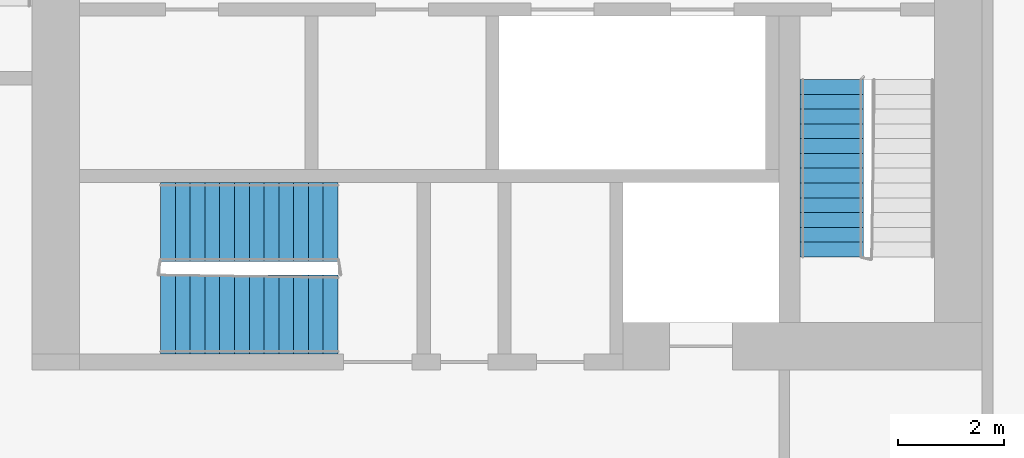
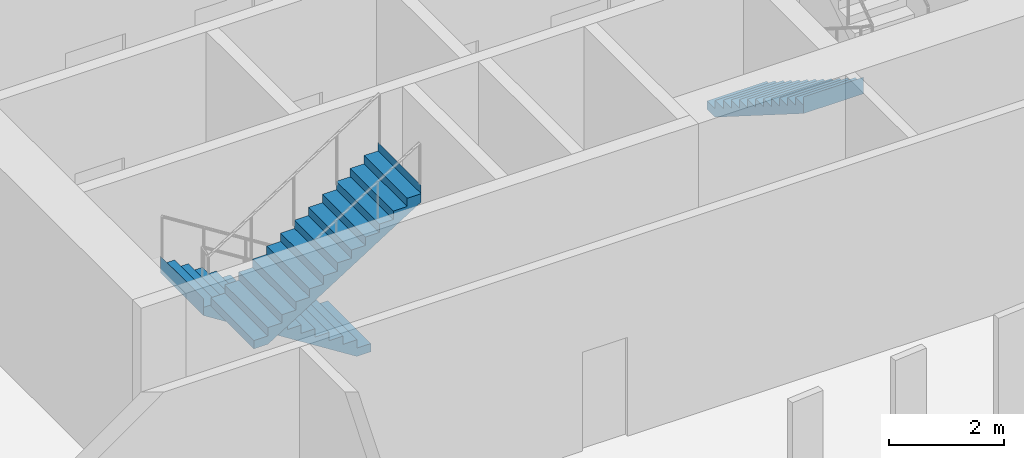
# One storey, part 21 of 26: 3 stair flights, 2 elements without a shape of their own.
"""IFC4 building model written with IfcOpenShell, lengths in metres."""

from ifc_helpers import new_model, si_unit, direction, frame, origin, place, context, subcontext, project, spatial, faceted_brep, material, type_object, element, aggregate, save


model = new_model("IFC4")

# Units and contexts
model_context = context("Model", 3, precision=1e-05, world=origin(), true_north=direction((0.0, 1.0)))
body_context = subcontext(model_context, "Body", "Model", "MODEL_VIEW")
ifc_project = project(units=[si_unit("LENGTHUNIT", "METRE"), si_unit("AREAUNIT", "SQUARE_METRE"), si_unit("VOLUMEUNIT", "CUBIC_METRE"), si_unit("PLANEANGLEUNIT", "RADIAN"), si_unit("MASSUNIT", "GRAM", prefix="KILO")], contexts=[model_context])

# Site, building, storey
site_placement = place(None, origin())
site = spatial("IfcSite", under=ifc_project, at=site_placement, CompositionType="ELEMENT")
building_placement = place(site_placement, origin())
building = spatial("IfcBuilding", under=site, at=building_placement, Name="Kajstack Hotel Tower", CompositionType="ELEMENT")
storey_placement = place(building_placement, frame((0.0, 0.0, 206.5)))
storey = spatial("IfcBuildingStorey", under=building, at=storey_placement, Name="L50", CompositionType="ELEMENT", Elevation=206.5)

# Stair, stair flight
ifc_material = material(Name="Concrete C40/50", Category="concrete")
stair_type_1 = type_object("IfcStairType", Name="Exit stair 1200", PredefinedType="HALF_TURN_STAIR", material=ifc_material)
stair_1_placement = place(storey_placement, origin())
stair_1 = element("IfcStair", 1, at=stair_1_placement, inside=storey, type_object=stair_type_1, Name="L50 stair W2", PredefinedType="HALF_TURN_STAIR")
stair_flight_type_1 = type_object("IfcStairFlightType", Name="Exit stair flight 1200", PredefinedType="STRAIGHT", material=ifc_material)
stair_flight_1_placement = place(storey_placement, frame((-16.35009765625, -10.0, 0.0), z_axis=(0.0, 0.0, 1.0), x_axis=(0.0, -1.0, 0.0)))
stair_flight_1 = element("IfcStairFlight", 2, at=stair_flight_1_placement, type_object=stair_flight_type_1, Name="W2 flight 1", NumberOfRisers=13, NumberOfTreads=12, PredefinedType="STRAIGHT", RiserHeight=0.176923077, TreadLength=0.28, context=body_context, shape_type="Brep", body=[
    faceted_brep([(0.281005859375, -0.60009765625, 0.0), (3.360595703125, -0.60009765625, 1.94580078125), (3.360595703125, -0.60009765625, 2.300048828125), (3.360107421875, -0.60009765625, 2.300048828125), (3.360107421875, -0.60009765625, 2.123046875), (3.080078125, -0.60009765625, 2.123046875), (3.080078125, -0.60009765625, 1.946044921875), (2.800048828125, -0.60009765625, 1.946044921875), (2.800048828125, -0.60009765625, 1.769287109375), (2.52001953125, -0.60009765625, 1.769287109375), (2.52001953125, -0.60009765625, 1.59228515625), (2.239990234375, -0.60009765625, 1.59228515625), (2.239990234375, -0.60009765625, 1.415283203125), (1.9599609375, -0.60009765625, 1.415283203125), (1.9599609375, -0.60009765625, 1.238525390625), (1.679931640625, -0.60009765625, 1.238525390625), (1.679931640625, -0.60009765625, 1.0615234375), (1.39990234375, -0.60009765625, 1.0615234375), (1.39990234375, -0.60009765625, 0.884521484375), (1.1201171875, -0.60009765625, 0.884521484375), (1.1201171875, -0.60009765625, 0.707763671875), (0.840087890625, -0.60009765625, 0.707763671875), (0.840087890625, -0.60009765625, 0.53076171875), (0.56005859375, -0.60009765625, 0.53076171875), (0.56005859375, -0.60009765625, 0.353759765625), (0.280029296875, -0.60009765625, 0.353759765625), (0.280029296875, -0.60009765625, 0.177001953125), (-0.00048828125, -0.60009765625, 0.177001953125), (-0.00048828125, -0.60009765625, 0.0), (-0.00048828125, 0.60009765625, 0.0), (-0.00048828125, 0.60009765625, 0.177001953125), (0.280029296875, 0.60009765625, 0.177001953125), (0.280029296875, 0.60009765625, 0.353759765625), (0.56005859375, 0.60009765625, 0.353759765625), (0.56005859375, 0.60009765625, 0.53076171875), (0.840087890625, 0.60009765625, 0.53076171875), (0.840087890625, 0.60009765625, 0.707763671875), (1.1201171875, 0.60009765625, 0.707763671875), (1.1201171875, 0.60009765625, 0.884521484375), (1.39990234375, 0.60009765625, 0.884521484375), (1.39990234375, 0.60009765625, 1.0615234375), (1.679931640625, 0.60009765625, 1.0615234375), (1.679931640625, 0.60009765625, 1.238525390625), (1.9599609375, 0.60009765625, 1.238525390625), (1.9599609375, 0.60009765625, 1.415283203125), (2.239990234375, 0.60009765625, 1.415283203125), (2.239990234375, 0.60009765625, 1.59228515625), (2.52001953125, 0.60009765625, 1.59228515625), (2.52001953125, 0.60009765625, 1.769287109375), (2.800048828125, 0.60009765625, 1.769287109375), (2.800048828125, 0.60009765625, 1.946044921875), (3.080078125, 0.60009765625, 1.946044921875), (3.080078125, 0.60009765625, 2.123046875), (3.360107421875, 0.60009765625, 2.123046875), (3.360107421875, 0.60009765625, 2.300048828125), (3.360595703125, 0.60009765625, 2.300048828125), (3.360595703125, 0.60009765625, 1.94580078125), (0.281005859375, 0.60009765625, 0.0), (-0.00048828125, -0.300048828125, 0.177001953125), (-0.00048828125, 0.0, 0.177001953125), (-0.00048828125, 0.300048828125, 0.177001953125), (-0.00048828125, 0.300048828125, 0.0), (-0.00048828125, 0.0, 0.0), (-0.00048828125, -0.300048828125, 0.0), (0.280029296875, -0.300048828125, 0.177001953125), (0.280029296875, 0.0, 0.177001953125), (0.280029296875, 0.300048828125, 0.177001953125), (0.280029296875, -0.300048828125, 0.353759765625), (0.280029296875, 0.0, 0.353759765625), (0.280029296875, 0.300048828125, 0.353759765625), (0.56005859375, -0.300048828125, 0.353759765625), (0.56005859375, 0.0, 0.353759765625), (0.56005859375, 0.300048828125, 0.353759765625), (0.56005859375, -0.300048828125, 0.53076171875), (0.56005859375, 0.0, 0.53076171875), (0.56005859375, 0.300048828125, 0.53076171875), (0.840087890625, -0.300048828125, 0.53076171875), (0.840087890625, 0.0, 0.53076171875), (0.840087890625, 0.300048828125, 0.53076171875), (0.840087890625, -0.300048828125, 0.707763671875), (0.840087890625, 0.0, 0.707763671875), (0.840087890625, 0.300048828125, 0.707763671875), (1.1201171875, -0.300048828125, 0.707763671875), (1.1201171875, 0.0, 0.707763671875), (1.1201171875, 0.300048828125, 0.707763671875), (1.1201171875, -0.300048828125, 0.884521484375), (1.1201171875, 0.0, 0.884521484375), (1.1201171875, 0.300048828125, 0.884521484375), (1.39990234375, -0.300048828125, 0.884521484375), (1.39990234375, 0.0, 0.884521484375), (1.39990234375, 0.300048828125, 0.884521484375), (1.39990234375, -0.300048828125, 1.0615234375), (1.39990234375, 0.0, 1.0615234375), (1.39990234375, 0.300048828125, 1.0615234375), (1.679931640625, -0.300048828125, 1.0615234375), (1.679931640625, 0.0, 1.0615234375), (1.679931640625, 0.300048828125, 1.0615234375), (1.679931640625, -0.300048828125, 1.238525390625), (1.679931640625, 0.0, 1.238525390625), (1.679931640625, 0.300048828125, 1.238525390625), (1.9599609375, -0.300048828125, 1.238525390625), (1.9599609375, 0.0, 1.238525390625), (1.9599609375, 0.300048828125, 1.238525390625), (1.9599609375, -0.300048828125, 1.415283203125), (1.9599609375, 0.0, 1.415283203125), (1.9599609375, 0.300048828125, 1.415283203125), (2.239990234375, -0.300048828125, 1.415283203125), (2.239990234375, 0.0, 1.415283203125), (2.239990234375, 0.300048828125, 1.415283203125), (2.239990234375, -0.300048828125, 1.59228515625), (2.239990234375, 0.0, 1.59228515625), (2.239990234375, 0.300048828125, 1.59228515625), (2.52001953125, -0.300048828125, 1.59228515625), (2.52001953125, 0.0, 1.59228515625), (2.52001953125, 0.300048828125, 1.59228515625), (2.52001953125, -0.300048828125, 1.769287109375), (2.52001953125, 0.0, 1.769287109375), (2.52001953125, 0.300048828125, 1.769287109375), (2.800048828125, -0.300048828125, 1.769287109375), (2.800048828125, 0.0, 1.769287109375), (2.800048828125, 0.300048828125, 1.769287109375), (2.800048828125, -0.300048828125, 1.946044921875), (2.800048828125, 0.0, 1.946044921875), (2.800048828125, 0.300048828125, 1.946044921875), (3.080078125, -0.300048828125, 1.946044921875), (3.080078125, 0.0, 1.946044921875), (3.080078125, 0.300048828125, 1.946044921875), (3.080078125, -0.300048828125, 2.123046875), (3.080078125, 0.0, 2.123046875), (3.080078125, 0.300048828125, 2.123046875), (3.360107421875, -0.300048828125, 2.123046875), (3.360107421875, 0.0, 2.123046875), (3.360107421875, 0.300048828125, 2.123046875), (3.360107421875, -0.300048828125, 2.300048828125), (3.360107421875, 0.0, 2.300048828125), (3.360107421875, 0.300048828125, 2.300048828125), (3.360595703125, -0.300048828125, 2.300048828125), (3.360595703125, 0.0, 2.300048828125), (3.360595703125, 0.300048828125, 2.300048828125), (3.360595703125, -0.300048828125, 1.94580078125), (3.360595703125, 0.0, 1.94580078125), (3.360595703125, 0.300048828125, 1.94580078125), (0.281005859375, -0.300048828125, 0.0), (0.281005859375, 0.0, 0.0), (0.281005859375, 0.300048828125, 0.0)], [[[0, 1, 2, 3, 4, 5, 6, 7, 8, 9, 10, 11, 12, 13, 14, 15, 16, 17, 18, 19, 20, 21, 22, 23, 24, 25, 26, 27, 28]], [[29, 30, 31, 32, 33, 34, 35, 36, 37, 38, 39, 40, 41, 42, 43, 44, 45, 46, 47, 48, 49, 50, 51, 52, 53, 54, 55, 56, 57]], [[27, 58, 59, 60, 30, 29, 61, 62, 63, 28]], [[26, 64, 65, 66, 31, 30, 60, 59, 58, 27]], [[25, 67, 68, 69, 32, 31, 66, 65, 64, 26]], [[24, 70, 71, 72, 33, 32, 69, 68, 67, 25]], [[23, 73, 74, 75, 34, 33, 72, 71, 70, 24]], [[22, 76, 77, 78, 35, 34, 75, 74, 73, 23]], [[21, 79, 80, 81, 36, 35, 78, 77, 76, 22]], [[20, 82, 83, 84, 37, 36, 81, 80, 79, 21]], [[19, 85, 86, 87, 38, 37, 84, 83, 82, 20]], [[18, 88, 89, 90, 39, 38, 87, 86, 85, 19]], [[17, 91, 92, 93, 40, 39, 90, 89, 88, 18]], [[16, 94, 95, 96, 41, 40, 93, 92, 91, 17]], [[15, 97, 98, 99, 42, 41, 96, 95, 94, 16]], [[14, 100, 101, 102, 43, 42, 99, 98, 97, 15]], [[13, 103, 104, 105, 44, 43, 102, 101, 100, 14]], [[12, 106, 107, 108, 45, 44, 105, 104, 103, 13]], [[11, 109, 110, 111, 46, 45, 108, 107, 106, 12]], [[10, 112, 113, 114, 47, 46, 111, 110, 109, 11]], [[9, 115, 116, 117, 48, 47, 114, 113, 112, 10]], [[8, 118, 119, 120, 49, 48, 117, 116, 115, 9]], [[7, 121, 122, 123, 50, 49, 120, 119, 118, 8]], [[6, 124, 125, 126, 51, 50, 123, 122, 121, 7]], [[5, 127, 128, 129, 52, 51, 126, 125, 124, 6]], [[4, 130, 131, 132, 53, 52, 129, 128, 127, 5]], [[3, 133, 134, 135, 54, 53, 132, 131, 130, 4]], [[2, 136, 137, 138, 55, 54, 135, 134, 133, 3]], [[1, 139, 140, 141, 56, 55, 138, 137, 136, 2]], [[0, 142, 143, 144, 57, 56, 141, 140, 139, 1]], [[28, 63, 62, 61, 29, 57, 144, 143, 142, 0]]]),
])
aggregate(stair_1, [stair_flight_1])

# Stair, stair flights
stair_type_2 = type_object("IfcStairType", Name="Exit stair 1500", PredefinedType="HALF_TURN_STAIR", material=ifc_material)
stair_2_placement = place(storey_placement, origin())
stair_2 = element("IfcStair", 3, at=stair_2_placement, inside=storey, type_object=stair_type_2, Name="L50 stair W3", PredefinedType="HALF_TURN_STAIR")
stair_flight_type_2 = type_object("IfcStairFlightType", Name="Exit stair flight 1500", PredefinedType="STRAIGHT", material=ifc_material)
stair_flight_2_placement = place(storey_placement, frame((-25.699951171875, -12.699951171875, 0.0), z_axis=(0.0, 0.0, 1.0), x_axis=(-1.0, 0.0, 0.0)))
stair_flight_2 = element("IfcStairFlight", 4, at=stair_flight_2_placement, type_object=stair_flight_type_2, Name="W3 flight 1", NumberOfRisers=13, NumberOfTreads=12, PredefinedType="STRAIGHT", RiserHeight=0.176923077, TreadLength=0.28, context=body_context, shape_type="Brep", body=[
    faceted_brep([(0.281005859375, -0.75, 0.0), (3.360595703125, -0.75, 1.94580078125), (3.360595703125, -0.75, 2.300048828125), (3.360107421875, -0.75, 2.300048828125), (3.360107421875, -0.75, 2.123046875), (3.080078125, -0.75, 2.123046875), (3.080078125, -0.75, 1.946044921875), (2.800048828125, -0.75, 1.946044921875), (2.800048828125, -0.75, 1.769287109375), (2.52001953125, -0.75, 1.769287109375), (2.52001953125, -0.75, 1.59228515625), (2.239990234375, -0.75, 1.59228515625), (2.239990234375, -0.75, 1.415283203125), (1.9599609375, -0.75, 1.415283203125), (1.9599609375, -0.75, 1.238525390625), (1.679931640625, -0.75, 1.238525390625), (1.679931640625, -0.75, 1.0615234375), (1.39990234375, -0.75, 1.0615234375), (1.39990234375, -0.75, 0.884521484375), (1.1201171875, -0.75, 0.884521484375), (1.1201171875, -0.75, 0.707763671875), (0.840087890625, -0.75, 0.707763671875), (0.840087890625, -0.75, 0.53076171875), (0.56005859375, -0.75, 0.53076171875), (0.56005859375, -0.75, 0.353759765625), (0.280029296875, -0.75, 0.353759765625), (0.280029296875, -0.75, 0.177001953125), (-0.00048828125, -0.75, 0.177001953125), (-0.00048828125, -0.75, 0.0), (-0.00048828125, 0.75, 0.0), (-0.00048828125, 0.75, 0.177001953125), (0.280029296875, 0.75, 0.177001953125), (0.280029296875, 0.75, 0.353759765625), (0.56005859375, 0.75, 0.353759765625), (0.56005859375, 0.75, 0.53076171875), (0.840087890625, 0.75, 0.53076171875), (0.840087890625, 0.75, 0.707763671875), (1.1201171875, 0.75, 0.707763671875), (1.1201171875, 0.75, 0.884521484375), (1.39990234375, 0.75, 0.884521484375), (1.39990234375, 0.75, 1.0615234375), (1.679931640625, 0.75, 1.0615234375), (1.679931640625, 0.75, 1.238525390625), (1.9599609375, 0.75, 1.238525390625), (1.9599609375, 0.75, 1.415283203125), (2.239990234375, 0.75, 1.415283203125), (2.239990234375, 0.75, 1.59228515625), (2.52001953125, 0.75, 1.59228515625), (2.52001953125, 0.75, 1.769287109375), (2.800048828125, 0.75, 1.769287109375), (2.800048828125, 0.75, 1.946044921875), (3.080078125, 0.75, 1.946044921875), (3.080078125, 0.75, 2.123046875), (3.360107421875, 0.75, 2.123046875), (3.360107421875, 0.75, 2.300048828125), (3.360595703125, 0.75, 2.300048828125), (3.360595703125, 0.75, 1.94580078125), (0.281005859375, 0.75, 0.0), (-0.00048828125, -0.375, 0.177001953125), (-0.00048828125, 0.0, 0.177001953125), (-0.00048828125, 0.375, 0.177001953125), (-0.00048828125, 0.375, 0.0), (-0.00048828125, 0.0, 0.0), (-0.00048828125, -0.375, 0.0), (0.280029296875, -0.375, 0.177001953125), (0.280029296875, 0.0, 0.177001953125), (0.280029296875, 0.375, 0.177001953125), (0.280029296875, -0.375, 0.353759765625), (0.280029296875, 0.0, 0.353759765625), (0.280029296875, 0.375, 0.353759765625), (0.56005859375, -0.375, 0.353759765625), (0.56005859375, 0.0, 0.353759765625), (0.56005859375, 0.375, 0.353759765625), (0.56005859375, -0.375, 0.53076171875), (0.56005859375, 0.0, 0.53076171875), (0.56005859375, 0.375, 0.53076171875), (0.840087890625, -0.375, 0.53076171875), (0.840087890625, 0.0, 0.53076171875), (0.840087890625, 0.375, 0.53076171875), (0.840087890625, -0.375, 0.707763671875), (0.840087890625, 0.0, 0.707763671875), (0.840087890625, 0.375, 0.707763671875), (1.1201171875, -0.375, 0.707763671875), (1.1201171875, 0.0, 0.707763671875), (1.1201171875, 0.375, 0.707763671875), (1.1201171875, -0.375, 0.884521484375), (1.1201171875, 0.0, 0.884521484375), (1.1201171875, 0.375, 0.884521484375), (1.39990234375, -0.375, 0.884521484375), (1.39990234375, 0.0, 0.884521484375), (1.39990234375, 0.375, 0.884521484375), (1.39990234375, -0.375, 1.0615234375), (1.39990234375, 0.0, 1.0615234375), (1.39990234375, 0.375, 1.0615234375), (1.679931640625, -0.375, 1.0615234375), (1.679931640625, 0.0, 1.0615234375), (1.679931640625, 0.375, 1.0615234375), (1.679931640625, -0.375, 1.238525390625), (1.679931640625, 0.0, 1.238525390625), (1.679931640625, 0.375, 1.238525390625), (1.9599609375, -0.375, 1.238525390625), (1.9599609375, 0.0, 1.238525390625), (1.9599609375, 0.375, 1.238525390625), (1.9599609375, -0.375, 1.415283203125), (1.9599609375, 0.0, 1.415283203125), (1.9599609375, 0.375, 1.415283203125), (2.239990234375, -0.375, 1.415283203125), (2.239990234375, 0.0, 1.415283203125), (2.239990234375, 0.375, 1.415283203125), (2.239990234375, -0.375, 1.59228515625), (2.239990234375, 0.0, 1.59228515625), (2.239990234375, 0.375, 1.59228515625), (2.52001953125, -0.375, 1.59228515625), (2.52001953125, 0.0, 1.59228515625), (2.52001953125, 0.375, 1.59228515625), (2.52001953125, -0.375, 1.769287109375), (2.52001953125, 0.0, 1.769287109375), (2.52001953125, 0.375, 1.769287109375), (2.800048828125, -0.375, 1.769287109375), (2.800048828125, 0.0, 1.769287109375), (2.800048828125, 0.375, 1.769287109375), (2.800048828125, -0.375, 1.946044921875), (2.800048828125, 0.0, 1.946044921875), (2.800048828125, 0.375, 1.946044921875), (3.080078125, -0.375, 1.946044921875), (3.080078125, 0.0, 1.946044921875), (3.080078125, 0.375, 1.946044921875), (3.080078125, -0.375, 2.123046875), (3.080078125, 0.0, 2.123046875), (3.080078125, 0.375, 2.123046875), (3.360107421875, -0.375, 2.123046875), (3.360107421875, 0.0, 2.123046875), (3.360107421875, 0.375, 2.123046875), (3.360107421875, -0.375, 2.300048828125), (3.360107421875, 0.0, 2.300048828125), (3.360107421875, 0.375, 2.300048828125), (3.360595703125, -0.375, 2.300048828125), (3.360595703125, 0.0, 2.300048828125), (3.360595703125, 0.375, 2.300048828125), (3.360595703125, -0.375, 1.94580078125), (3.360595703125, 0.0, 1.94580078125), (3.360595703125, 0.375, 1.94580078125), (0.281005859375, -0.375, 0.0), (0.281005859375, 0.0, 0.0), (0.281005859375, 0.375, 0.0)], [[[0, 1, 2, 3, 4, 5, 6, 7, 8, 9, 10, 11, 12, 13, 14, 15, 16, 17, 18, 19, 20, 21, 22, 23, 24, 25, 26, 27, 28]], [[29, 30, 31, 32, 33, 34, 35, 36, 37, 38, 39, 40, 41, 42, 43, 44, 45, 46, 47, 48, 49, 50, 51, 52, 53, 54, 55, 56, 57]], [[27, 58, 59, 60, 30, 29, 61, 62, 63, 28]], [[26, 64, 65, 66, 31, 30, 60, 59, 58, 27]], [[25, 67, 68, 69, 32, 31, 66, 65, 64, 26]], [[24, 70, 71, 72, 33, 32, 69, 68, 67, 25]], [[23, 73, 74, 75, 34, 33, 72, 71, 70, 24]], [[22, 76, 77, 78, 35, 34, 75, 74, 73, 23]], [[21, 79, 80, 81, 36, 35, 78, 77, 76, 22]], [[20, 82, 83, 84, 37, 36, 81, 80, 79, 21]], [[19, 85, 86, 87, 38, 37, 84, 83, 82, 20]], [[18, 88, 89, 90, 39, 38, 87, 86, 85, 19]], [[17, 91, 92, 93, 40, 39, 90, 89, 88, 18]], [[16, 94, 95, 96, 41, 40, 93, 92, 91, 17]], [[15, 97, 98, 99, 42, 41, 96, 95, 94, 16]], [[14, 100, 101, 102, 43, 42, 99, 98, 97, 15]], [[13, 103, 104, 105, 44, 43, 102, 101, 100, 14]], [[12, 106, 107, 108, 45, 44, 105, 104, 103, 13]], [[11, 109, 110, 111, 46, 45, 108, 107, 106, 12]], [[10, 112, 113, 114, 47, 46, 111, 110, 109, 11]], [[9, 115, 116, 117, 48, 47, 114, 113, 112, 10]], [[8, 118, 119, 120, 49, 48, 117, 116, 115, 9]], [[7, 121, 122, 123, 50, 49, 120, 119, 118, 8]], [[6, 124, 125, 126, 51, 50, 123, 122, 121, 7]], [[5, 127, 128, 129, 52, 51, 126, 125, 124, 6]], [[4, 130, 131, 132, 53, 52, 129, 128, 127, 5]], [[3, 133, 134, 135, 54, 53, 132, 131, 130, 4]], [[2, 136, 137, 138, 55, 54, 135, 134, 133, 3]], [[1, 139, 140, 141, 56, 55, 138, 137, 136, 2]], [[0, 142, 143, 144, 57, 56, 141, 140, 139, 1]], [[28, 63, 62, 61, 29, 57, 144, 143, 142, 0]]]),
])
stair_flight_3_placement = place(storey_placement, frame((-29.06005859375, -14.449951171875, 2.300048828125), z_axis=(0.0, 0.0, 1.0), x_axis=(1.0, 0.0, 0.0)))
stair_flight_3 = element("IfcStairFlight", 5, at=stair_flight_3_placement, type_object=stair_flight_type_2, Name="W3 flight 2", NumberOfRisers=13, NumberOfTreads=12, PredefinedType="STRAIGHT", RiserHeight=0.176923077, TreadLength=0.28, context=body_context, shape_type="Brep", body=[
    faceted_brep([(0.281005859375, -0.75, 0.0), (3.360595703125, -0.75, 1.94580078125), (3.360595703125, -0.75, 2.300048828125), (3.360107421875, -0.75, 2.300048828125), (3.360107421875, -0.75, 2.123046875), (3.080078125, -0.75, 2.123046875), (3.080078125, -0.75, 1.946044921875), (2.800048828125, -0.75, 1.946044921875), (2.800048828125, -0.75, 1.769287109375), (2.52001953125, -0.75, 1.769287109375), (2.52001953125, -0.75, 1.59228515625), (2.239990234375, -0.75, 1.59228515625), (2.239990234375, -0.75, 1.415283203125), (1.9599609375, -0.75, 1.415283203125), (1.9599609375, -0.75, 1.238525390625), (1.679931640625, -0.75, 1.238525390625), (1.679931640625, -0.75, 1.0615234375), (1.39990234375, -0.75, 1.0615234375), (1.39990234375, -0.75, 0.884521484375), (1.1201171875, -0.75, 0.884521484375), (1.1201171875, -0.75, 0.707763671875), (0.840087890625, -0.75, 0.707763671875), (0.840087890625, -0.75, 0.53076171875), (0.56005859375, -0.75, 0.53076171875), (0.56005859375, -0.75, 0.353759765625), (0.280029296875, -0.75, 0.353759765625), (0.280029296875, -0.75, 0.177001953125), (-0.00048828125, -0.75, 0.177001953125), (-0.00048828125, -0.75, 0.0), (-0.00048828125, 0.75, 0.0), (-0.00048828125, 0.75, 0.177001953125), (0.280029296875, 0.75, 0.177001953125), (0.280029296875, 0.75, 0.353759765625), (0.56005859375, 0.75, 0.353759765625), (0.56005859375, 0.75, 0.53076171875), (0.840087890625, 0.75, 0.53076171875), (0.840087890625, 0.75, 0.707763671875), (1.1201171875, 0.75, 0.707763671875), (1.1201171875, 0.75, 0.884521484375), (1.39990234375, 0.75, 0.884521484375), (1.39990234375, 0.75, 1.0615234375), (1.679931640625, 0.75, 1.0615234375), (1.679931640625, 0.75, 1.238525390625), (1.9599609375, 0.75, 1.238525390625), (1.9599609375, 0.75, 1.415283203125), (2.239990234375, 0.75, 1.415283203125), (2.239990234375, 0.75, 1.59228515625), (2.52001953125, 0.75, 1.59228515625), (2.52001953125, 0.75, 1.769287109375), (2.800048828125, 0.75, 1.769287109375), (2.800048828125, 0.75, 1.946044921875), (3.080078125, 0.75, 1.946044921875), (3.080078125, 0.75, 2.123046875), (3.360107421875, 0.75, 2.123046875), (3.360107421875, 0.75, 2.300048828125), (3.360595703125, 0.75, 2.300048828125), (3.360595703125, 0.75, 1.94580078125), (0.281005859375, 0.75, 0.0), (-0.00048828125, -0.375, 0.177001953125), (-0.00048828125, 0.0, 0.177001953125), (-0.00048828125, 0.375, 0.177001953125), (-0.00048828125, 0.375, 0.0), (-0.00048828125, 0.0, 0.0), (-0.00048828125, -0.375, 0.0), (0.280029296875, -0.375, 0.177001953125), (0.280029296875, 0.0, 0.177001953125), (0.280029296875, 0.375, 0.177001953125), (0.280029296875, -0.375, 0.353759765625), (0.280029296875, 0.0, 0.353759765625), (0.280029296875, 0.375, 0.353759765625), (0.56005859375, -0.375, 0.353759765625), (0.56005859375, 0.0, 0.353759765625), (0.56005859375, 0.375, 0.353759765625), (0.56005859375, -0.375, 0.53076171875), (0.56005859375, 0.0, 0.53076171875), (0.56005859375, 0.375, 0.53076171875), (0.840087890625, -0.375, 0.53076171875), (0.840087890625, 0.0, 0.53076171875), (0.840087890625, 0.375, 0.53076171875), (0.840087890625, -0.375, 0.707763671875), (0.840087890625, 0.0, 0.707763671875), (0.840087890625, 0.375, 0.707763671875), (1.1201171875, -0.375, 0.707763671875), (1.1201171875, 0.0, 0.707763671875), (1.1201171875, 0.375, 0.707763671875), (1.1201171875, -0.375, 0.884521484375), (1.1201171875, 0.0, 0.884521484375), (1.1201171875, 0.375, 0.884521484375), (1.39990234375, -0.375, 0.884521484375), (1.39990234375, 0.0, 0.884521484375), (1.39990234375, 0.375, 0.884521484375), (1.39990234375, -0.375, 1.0615234375), (1.39990234375, 0.0, 1.0615234375), (1.39990234375, 0.375, 1.0615234375), (1.679931640625, -0.375, 1.0615234375), (1.679931640625, 0.0, 1.0615234375), (1.679931640625, 0.375, 1.0615234375), (1.679931640625, -0.375, 1.238525390625), (1.679931640625, 0.0, 1.238525390625), (1.679931640625, 0.375, 1.238525390625), (1.9599609375, -0.375, 1.238525390625), (1.9599609375, 0.0, 1.238525390625), (1.9599609375, 0.375, 1.238525390625), (1.9599609375, -0.375, 1.415283203125), (1.9599609375, 0.0, 1.415283203125), (1.9599609375, 0.375, 1.415283203125), (2.239990234375, -0.375, 1.415283203125), (2.239990234375, 0.0, 1.415283203125), (2.239990234375, 0.375, 1.415283203125), (2.239990234375, -0.375, 1.59228515625), (2.239990234375, 0.0, 1.59228515625), (2.239990234375, 0.375, 1.59228515625), (2.52001953125, -0.375, 1.59228515625), (2.52001953125, 0.0, 1.59228515625), (2.52001953125, 0.375, 1.59228515625), (2.52001953125, -0.375, 1.769287109375), (2.52001953125, 0.0, 1.769287109375), (2.52001953125, 0.375, 1.769287109375), (2.800048828125, -0.375, 1.769287109375), (2.800048828125, 0.0, 1.769287109375), (2.800048828125, 0.375, 1.769287109375), (2.800048828125, -0.375, 1.946044921875), (2.800048828125, 0.0, 1.946044921875), (2.800048828125, 0.375, 1.946044921875), (3.080078125, -0.375, 1.946044921875), (3.080078125, 0.0, 1.946044921875), (3.080078125, 0.375, 1.946044921875), (3.080078125, -0.375, 2.123046875), (3.080078125, 0.0, 2.123046875), (3.080078125, 0.375, 2.123046875), (3.360107421875, -0.375, 2.123046875), (3.360107421875, 0.0, 2.123046875), (3.360107421875, 0.375, 2.123046875), (3.360107421875, -0.375, 2.300048828125), (3.360107421875, 0.0, 2.300048828125), (3.360107421875, 0.375, 2.300048828125), (3.360595703125, -0.375, 2.300048828125), (3.360595703125, 0.0, 2.300048828125), (3.360595703125, 0.375, 2.300048828125), (3.360595703125, -0.375, 1.94580078125), (3.360595703125, 0.0, 1.94580078125), (3.360595703125, 0.375, 1.94580078125), (0.281005859375, -0.375, 0.0), (0.281005859375, 0.0, 0.0), (0.281005859375, 0.375, 0.0)], [[[0, 1, 2, 3, 4, 5, 6, 7, 8, 9, 10, 11, 12, 13, 14, 15, 16, 17, 18, 19, 20, 21, 22, 23, 24, 25, 26, 27, 28]], [[29, 30, 31, 32, 33, 34, 35, 36, 37, 38, 39, 40, 41, 42, 43, 44, 45, 46, 47, 48, 49, 50, 51, 52, 53, 54, 55, 56, 57]], [[27, 58, 59, 60, 30, 29, 61, 62, 63, 28]], [[26, 64, 65, 66, 31, 30, 60, 59, 58, 27]], [[25, 67, 68, 69, 32, 31, 66, 65, 64, 26]], [[24, 70, 71, 72, 33, 32, 69, 68, 67, 25]], [[23, 73, 74, 75, 34, 33, 72, 71, 70, 24]], [[22, 76, 77, 78, 35, 34, 75, 74, 73, 23]], [[21, 79, 80, 81, 36, 35, 78, 77, 76, 22]], [[20, 82, 83, 84, 37, 36, 81, 80, 79, 21]], [[19, 85, 86, 87, 38, 37, 84, 83, 82, 20]], [[18, 88, 89, 90, 39, 38, 87, 86, 85, 19]], [[17, 91, 92, 93, 40, 39, 90, 89, 88, 18]], [[16, 94, 95, 96, 41, 40, 93, 92, 91, 17]], [[15, 97, 98, 99, 42, 41, 96, 95, 94, 16]], [[14, 100, 101, 102, 43, 42, 99, 98, 97, 15]], [[13, 103, 104, 105, 44, 43, 102, 101, 100, 14]], [[12, 106, 107, 108, 45, 44, 105, 104, 103, 13]], [[11, 109, 110, 111, 46, 45, 108, 107, 106, 12]], [[10, 112, 113, 114, 47, 46, 111, 110, 109, 11]], [[9, 115, 116, 117, 48, 47, 114, 113, 112, 10]], [[8, 118, 119, 120, 49, 48, 117, 116, 115, 9]], [[7, 121, 122, 123, 50, 49, 120, 119, 118, 8]], [[6, 124, 125, 126, 51, 50, 123, 122, 121, 7]], [[5, 127, 128, 129, 52, 51, 126, 125, 124, 6]], [[4, 130, 131, 132, 53, 52, 129, 128, 127, 5]], [[3, 133, 134, 135, 54, 53, 132, 131, 130, 4]], [[2, 136, 137, 138, 55, 54, 135, 134, 133, 3]], [[1, 139, 140, 141, 56, 55, 138, 137, 136, 2]], [[0, 142, 143, 144, 57, 56, 141, 140, 139, 1]], [[28, 63, 62, 61, 29, 57, 144, 143, 142, 0]]]),
])
aggregate(stair_2, [stair_flight_2, stair_flight_3])

save(model, "model.ifc")
